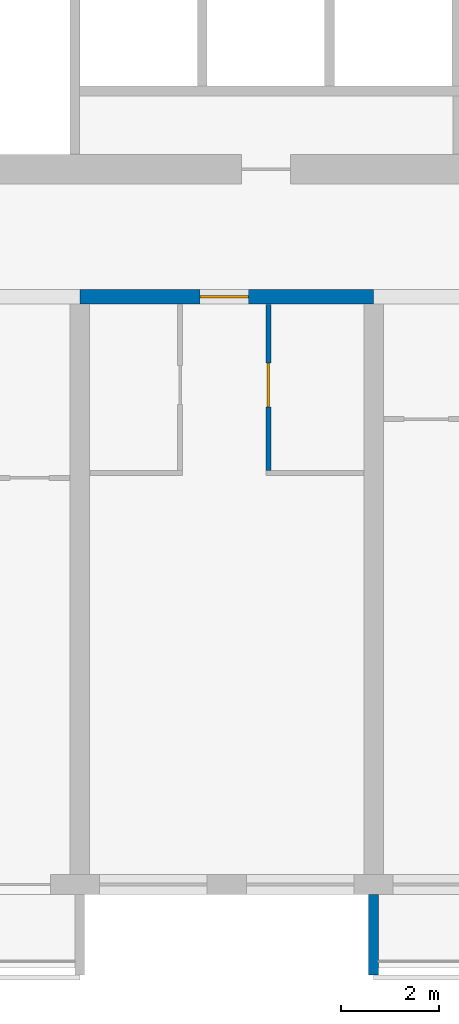
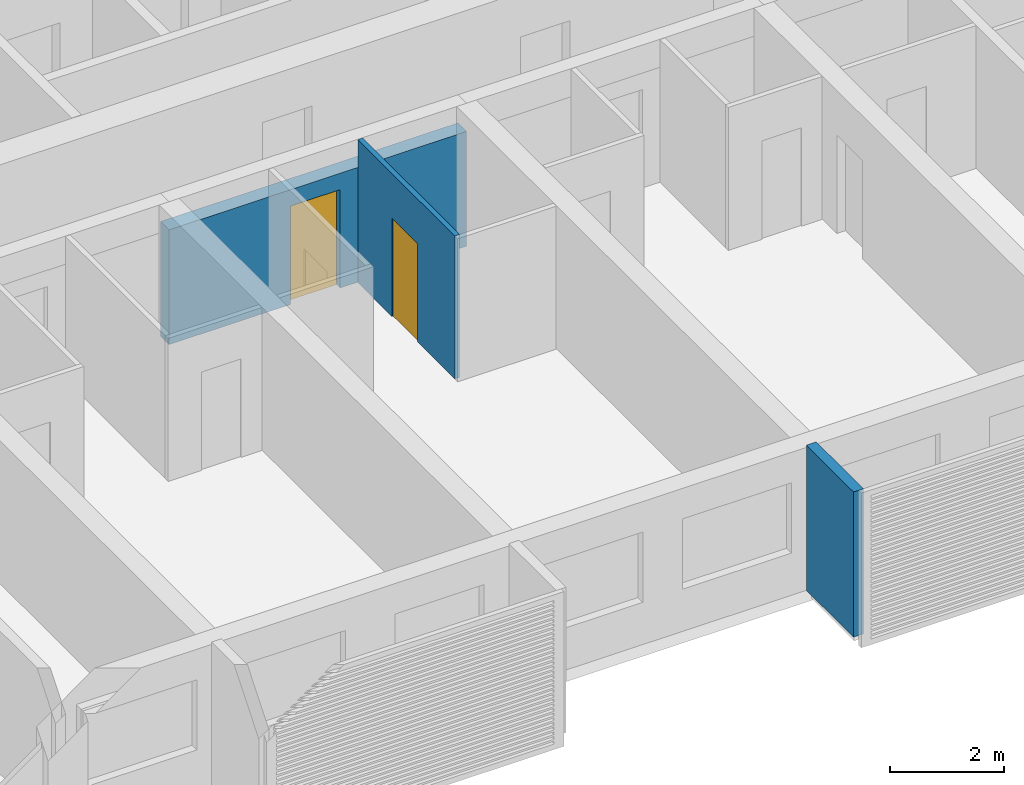
# One storey, part 4 of 38: 3 walls, 2 doors, 2 openings.
"""IFC4 building model written with IfcOpenShell, lengths in metres."""

from ifc_helpers import new_model, si_unit, direction, frame, frame_2d, origin, place, context, subcontext, project, spatial, polyline, rectangle, outline, extrude, source, transform, mapped, material, layer, layer_set, type_object, element, fill, save


model = new_model("IFC4")

# Units and contexts
model_context = context("Model", 3, precision=1e-05, world=origin(), true_north=direction((0.0, 1.0)))
body_context = subcontext(model_context, "Body", "Model", "MODEL_VIEW")
ifc_project = project(units=[si_unit("LENGTHUNIT", "METRE"), si_unit("AREAUNIT", "SQUARE_METRE"), si_unit("VOLUMEUNIT", "CUBIC_METRE"), si_unit("PLANEANGLEUNIT", "RADIAN"), si_unit("MASSUNIT", "GRAM", prefix="KILO")], contexts=[model_context])

# Site, building, storey
site_placement = place(None, origin())
site = spatial("IfcSite", under=ifc_project, at=site_placement, CompositionType="ELEMENT")
building_placement = place(site_placement, origin())
building = spatial("IfcBuilding", under=site, at=building_placement, Name="Poui Terraces", CompositionType="ELEMENT")
storey_placement = place(building_placement, frame((0.0, 0.0, 46.5)))
storey = spatial("IfcBuildingStorey", under=building, at=storey_placement, Name="L12", CompositionType="ELEMENT", Elevation=46.5)

# Wall, opening, door
ifc_material_1 = material(Name="Concrete 80 MPa", Category="concrete")
ifc_layer_1 = layer(ifc_material_1, 0.300048828125)
ifc_layer_set_1 = layer_set([ifc_layer_1], Name="Concrete 80 MPa")
wall_type_1 = type_object("IfcWallType", Name="CORRIDOR WALL 300 80MPa", PredefinedType="SHEAR", material=ifc_layer_set_1)
wall_1_placement = place(storey_placement, frame((42.0, 12.0, 0.0), z_axis=(0.0, 0.0, 1.0), x_axis=(1.0, 0.0, 0.0)))
wall_1 = element("IfcWall", 1, at=wall_1_placement, inside=storey, type_object=wall_type_1, Name="CORRIDOR WALL LINE B BAY 8", PredefinedType="SHEAR", context=body_context, shape_type="SweptSolid", body=[
    extrude(rectangle(XDim=6.0, YDim=0.300048828125, at=frame_2d((3.0, 0.0))), origin(), (0.0, 0.0, 1.0), 2.449951171875),
])
opening_1_placement = place(wall_1_placement, frame((2.449951171875, 0.0, 0.0)))
opening_1 = element("IfcOpeningElement", 2, at=opening_1_placement, cuts=wall_1, Name="Opening FD30S", PredefinedType="OPENING", context=body_context, shape_type="SweptSolid", body=[
    extrude(rectangle(XDim=1.0, YDim=2.10009765625, at=frame_2d((0.5, 1.050048828125))), frame((0.0, 0.16015625, 0.0), z_axis=(0.0, -1.0, 0.0), x_axis=(1.0, 0.0, 0.0)), (0.0, 0.0, 1.0), 0.320068359375),
])
ifc_material_2 = material(Name="Steel fire door", Category="steel")
door_type_1 = type_object("IfcDoorType", Name="FLAT ENTRANCE DOOR 1000 X 2100", OperationType="NOTDEFINED", PredefinedType="DOOR", material=ifc_material_2)
door_1_placement = place(opening_1_placement, frame((1.0, 0.0, 0.0), z_axis=(0.0, 0.0, 1.0), x_axis=(-1.0, 0.0, 0.0)))
door_1 = element("IfcDoor", 3, at=door_1_placement, inside=storey, type_object=door_type_1, Name="FLAT ENTRANCE DOOR 115", OperationType="SINGLE_SWING_RIGHT", OverallHeight=2.10009765625, OverallWidth=1.0, PredefinedType="DOOR", context=body_context, shape_type="SweptSolid", body=[
    extrude(rectangle(XDim=1.0, YDim=2.10009765625, at=frame_2d((0.5, 1.050048828125))), frame((0.0, 0.02490234375, 0.0), z_axis=(0.0, -1.0, 0.0), x_axis=(1.0, 0.0, 0.0)), (0.0, 0.0, 1.0), 0.050048828125),
])
fill(opening_1, door_1)

ifc_material_3 = material(Name="Plasterboard partition")
ifc_layer_2 = layer(ifc_material_3, 0.10009765625)
ifc_layer_set_2 = layer_set([ifc_layer_2], Name="Plasterboard partition")
wall_type_2 = type_object("IfcWallType", Name="FLAT PARTITION 100", PredefinedType="PARTITIONING", material=ifc_layer_set_2)
wall_2_placement = place(storey_placement, frame((45.85009765625, 8.449951171875, 0.0), z_axis=(0.0, 0.0, 1.0), x_axis=(0.0, 1.0, 0.0)))
wall_2 = element("IfcWall", 4, at=wall_2_placement, inside=storey, type_object=wall_type_2, Name="FLAT PARTITION 100", PredefinedType="PARTITIONING", context=body_context, shape_type="SweptSolid", body=[
    extrude(rectangle(XDim=3.39013671875, YDim=0.10009765625, at=frame_2d((1.695068359375, 0.0))), origin(), (0.0, 0.0, 1.0), 3.050048828125),
])
opening_2_placement = place(wall_2_placement, frame((1.300048828125, 0.0, 0.0)))
opening_2 = element("IfcOpeningElement", 5, at=opening_2_placement, cuts=wall_2, Name="Opening D90", PredefinedType="OPENING", context=body_context, shape_type="SweptSolid", body=[
    extrude(rectangle(XDim=0.89990234375, YDim=2.10009765625, at=frame_2d((0.449951171875, 1.050048828125))), frame((0.0, 0.06005859375, 0.0), z_axis=(0.0, -1.0, 0.0), x_axis=(1.0, 0.0, 0.0)), (0.0, 0.0, 1.0), 0.1201171875),
])
ifc_material_4 = material(Name="Solid core timber door", Category="wood")
door_type_2 = type_object("IfcDoorType", Name="INTERNAL DOOR 900 X 2100", OperationType="NOTDEFINED", PredefinedType="DOOR", material=ifc_material_4)
door_2_placement = place(opening_2_placement, frame((0.89990234375, 0.0, 0.0), z_axis=(0.0, 0.0, 1.0), x_axis=(-1.0, 0.0, 0.0)))
door_2 = element("IfcDoor", 6, at=door_2_placement, inside=storey, type_object=door_type_2, Name="INTERNAL DOOR 116", OperationType="SINGLE_SWING_LEFT", OverallHeight=2.10009765625, OverallWidth=0.89990234375, PredefinedType="DOOR", context=body_context, shape_type="SweptSolid", body=[
    extrude(rectangle(XDim=0.89990234375, YDim=2.10009765625, at=frame_2d((0.449951171875, 1.050048828125))), frame((0.0, 0.02490234375, 0.0), z_axis=(0.0, -1.0, 0.0), x_axis=(1.0, 0.0, 0.0)), (0.0, 0.0, 1.0), 0.050048828125),
])
fill(opening_2, door_2)

# Wall
ifc_material_5 = material(Name="Precast concrete 40 MPa", Category="concrete")
ifc_layer_3 = layer(ifc_material_5, 0.199951171875)
ifc_layer_set_3 = layer_set([ifc_layer_3], Name="Precast concrete 40 MPa")
wall_type_3 = type_object("IfcWallType", Name="REAR FIN 200", PredefinedType="STANDARD", material=ifc_layer_set_3)
shared_shape = source(origin(), body_context, "Body", "SweptSolid", [
    extrude(outline(polyline([(0.0, 0.0), (0.2001953125, 0.0), (0.2001953125, 1.650146484375), (0.0, 1.650146484375), (0.0, 0.0)])), origin(), (0.0, 0.0, 1.0), 3.10009765625),
])
wall_3_placement = place(storey_placement, frame((47.89990234375, -1.85009765625, 0.0)))
element("IfcWall", 7, at=wall_3_placement, inside=storey, type_object=wall_type_3, Name="REAR FIN", PredefinedType="STANDARD", context=body_context, shape_type="MappedRepresentation", body=[
    mapped(shared_shape, transform((0.0, 0.0, 0.0))),
])

save(model, "model.ifc")
